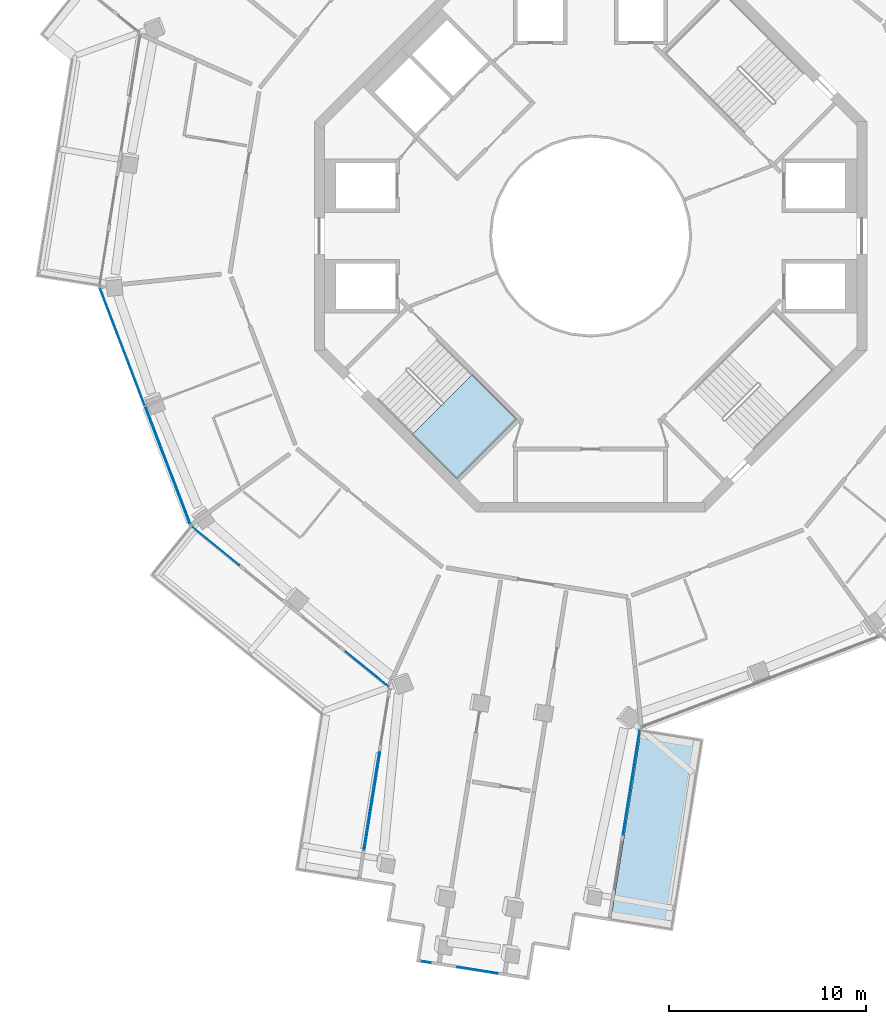
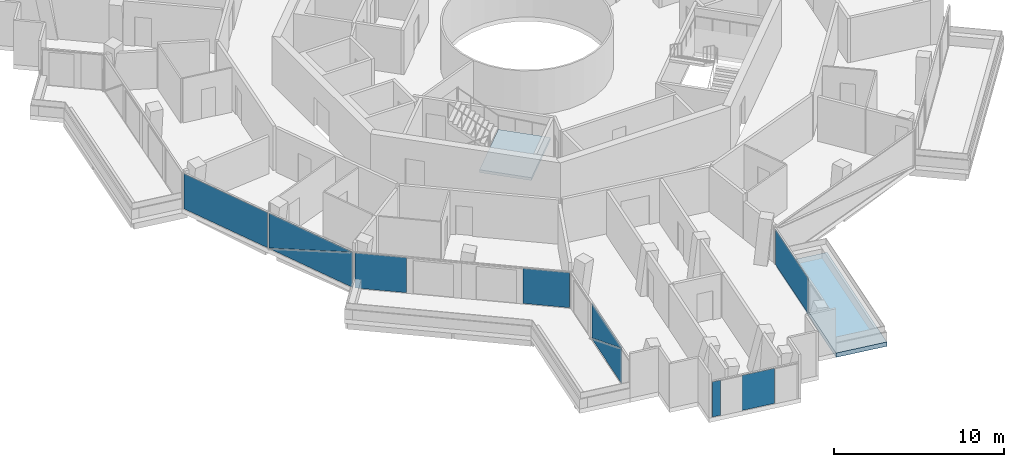
# One storey, part 11 of 23: 10 plates, 2 slabs, 6 elements without a shape of their own.
"""IFC4 building model written with IfcOpenShell, lengths in metres."""

from ifc_helpers import new_model, si_unit, direction, frame, origin, origin_2d, place, context, subcontext, project, spatial, polyline, rectangle, outline, extrude, material, layer, layer_set, type_object, element, aggregate, save


model = new_model("IFC4")

# Units and contexts
model_context = context("Model", 3, precision=1e-05, world=origin(), true_north=direction((0.0, 1.0)))
body_context = subcontext(model_context, "Body", "Model", "MODEL_VIEW")
ifc_project = project(units=[si_unit("LENGTHUNIT", "METRE"), si_unit("AREAUNIT", "SQUARE_METRE"), si_unit("VOLUMEUNIT", "CUBIC_METRE"), si_unit("PLANEANGLEUNIT", "RADIAN"), si_unit("MASSUNIT", "GRAM", prefix="KILO")], contexts=[model_context])

# Site, building, storey
site_placement = place(None, origin())
site = spatial("IfcSite", under=ifc_project, at=site_placement, CompositionType="ELEMENT")
building_placement = place(site_placement, origin())
building = spatial("IfcBuilding", under=site, at=building_placement, Name="Verdalira Terraces Hotel", CompositionType="ELEMENT")
storey_placement = place(building_placement, frame((0.0, 0.0, 241.0)))
storey = spatial("IfcBuildingStorey", under=building, at=storey_placement, Name="L59", CompositionType="ELEMENT", Elevation=241.0)

# Slab
ifc_material_1 = material(Name="Precast concrete C40/50", Category="concrete")
ifc_layer_1 = layer(ifc_material_1, 0.31005859375)
ifc_layer_set_1 = layer_set([ifc_layer_1], Name="Balcony deck 310")
slab_type_1 = type_object("IfcSlabType", Name="Balcony deck 310", PredefinedType="FLOOR", material=ifc_layer_set_1)
slab_1_placement = place(storey_placement, frame((0.0, 0.0, -0.310059)))
element("IfcSlab", 1, at=slab_1_placement, inside=storey, type_object=slab_type_1, Name="Balcony deck", PredefinedType="FLOOR", context=body_context, shape_type="SweptSolid", body=[
    extrude(outline(polyline([(5.732422, -25.489258), (2.572754, -24.981934), (1.008057, -34.729736), (4.16748, -35.236816), (5.732422, -25.489258)])), origin(), (0.0, 0.0, 1.0), 0.310059),
])

# Curtain wall, plates
ifc_material_2 = material(Name="Clear glass", Category="glass")
ifc_layer_2 = layer(ifc_material_2, 0.14990234375)
ifc_layer_set_2 = layer_set([ifc_layer_2], Name="CW1 curtain wall")
curtain_wall_type_1 = type_object("IfcCurtainWallType", Name="CW1 curtain wall", PredefinedType="NOTDEFINED", material=ifc_layer_set_2)
curtain_wall_1_placement = place(storey_placement, origin())
curtain_wall_1 = element("IfcCurtainWall", 2, at=curtain_wall_1_placement, inside=storey, type_object=curtain_wall_type_1, Name="CW1 curtain wall L59 edge 12", PredefinedType="NOTDEFINED")
ifc_material_3 = material(Name="Clear glass", Category="glass")
ifc_layer_3 = layer(ifc_material_3, 0.028076171875)
ifc_layer_set_3 = layer_set([ifc_layer_3], Name="CW1 glass unit 28")
plate_type_1 = type_object("IfcPlateType", Name="CW1 glass unit 28", PredefinedType="CURTAIN_PANEL", material=ifc_layer_set_3)
plate_1_placement = place(storey_placement, frame((-23.740967, -5.615479, 0.0), z_axis=(0.0, 0.0, 1.0), x_axis=(0.356411879, -0.934328942, 0.0)))
plate_1 = element("IfcPlate", 3, at=plate_1_placement, type_object=plate_type_1, Name="CW1 glass unit", PredefinedType="CURTAIN_PANEL", context=body_context, shape_type="SweptSolid", body=[
    extrude(rectangle(XDim=6.369873, YDim=0.028076, at=origin_2d()), origin(), (0.0, 0.0, 1.0), 2.524902),
])
plate_2_placement = place(storey_placement, frame((-21.436279, -11.618164, 1.262451), z_axis=(-0.934328942, -0.356411879, 0.0), x_axis=(0.356411879, -0.934328942, 0.0)))
plate_2 = element("IfcPlate", 4, at=plate_2_placement, type_object=plate_type_1, Name="CW1 glass unit", PredefinedType="CURTAIN_PANEL", context=body_context, shape_type="SweptSolid", body=[
    extrude(outline(polyline([(-3.185059, -1.262451), (3.185059, -1.262451), (3.185059, 1.262451), (-3.185059, -1.262451)])), origin(), (0.0, 0.0, 1.0), 0.028076),
])
plate_3_placement = place(storey_placement, frame((-21.40918, -11.607666, 1.262451), z_axis=(-0.934328942, -0.356411879, 0.0), x_axis=(0.356411879, -0.934328942, 0.0)))
plate_3 = element("IfcPlate", 5, at=plate_3_placement, type_object=plate_type_1, Name="CW1 glass unit", PredefinedType="CURTAIN_PANEL", context=body_context, shape_type="SweptSolid", body=[
    extrude(outline(polyline([(-3.185059, -1.262451), (3.185059, 1.262451), (-3.185059, 1.262451), (-3.185059, -1.262451)])), origin(), (0.0, 0.0, 1.0), 0.028076),
])
aggregate(curtain_wall_1, [plate_1, plate_2, plate_3])

curtain_wall_2_placement = place(storey_placement, origin())
curtain_wall_2 = element("IfcCurtainWall", 6, at=curtain_wall_2_placement, inside=storey, type_object=curtain_wall_type_1, Name="CW1 curtain wall L59 edge 13", PredefinedType="NOTDEFINED")
plate_4_placement = place(storey_placement, frame((-19.020996, -15.702148, 0.0), z_axis=(0.0, 0.0, 1.0), x_axis=(0.775826212, -0.63094666, 0.0)))
plate_4 = element("IfcPlate", 7, at=plate_4_placement, type_object=plate_type_1, Name="CW1 glass unit", PredefinedType="CURTAIN_PANEL", context=body_context, shape_type="SweptSolid", body=[
    extrude(rectangle(XDim=3.099854, YDim=0.028076, at=origin_2d()), origin(), (0.0, 0.0, 1.0), 2.524902),
])
plate_5_placement = place(storey_placement, frame((-11.340088, -21.94873, 0.0), z_axis=(0.0, 0.0, 1.0), x_axis=(0.775826212, -0.63094666, 0.0)))
plate_5 = element("IfcPlate", 8, at=plate_5_placement, type_object=plate_type_1, Name="CW1 glass unit", PredefinedType="CURTAIN_PANEL", context=body_context, shape_type="SweptSolid", body=[
    extrude(rectangle(XDim=2.778809, YDim=0.028076, at=origin_2d()), origin(), (0.0, 0.0, 1.0), 2.524902),
])
aggregate(curtain_wall_2, [plate_4, plate_5])

ifc_material_4 = material(Name="Clear glass", Category="glass")
ifc_layer_4 = layer(ifc_material_4, 0.14990234375)
ifc_layer_set_4 = layer_set([ifc_layer_4], Name="CW2 curtain wall")
curtain_wall_type_2 = type_object("IfcCurtainWallType", Name="CW2 curtain wall", PredefinedType="NOTDEFINED", material=ifc_layer_set_4)
curtain_wall_3_placement = place(storey_placement, origin())
curtain_wall_3 = element("IfcCurtainWall", 9, at=curtain_wall_3_placement, inside=storey, type_object=curtain_wall_type_2, Name="CW2 curtain wall L59 edge 14", PredefinedType="NOTDEFINED")
ifc_material_5 = material(Name="Clear glass", Category="glass")
ifc_layer_5 = layer(ifc_material_5, 0.031982421875)
ifc_layer_set_5 = layer_set([ifc_layer_5], Name="CW2 glass unit 32")
plate_type_2 = type_object("IfcPlateType", Name="CW2 glass unit 32", PredefinedType="CURTAIN_PANEL", material=ifc_layer_set_5)
plate_6_placement = place(storey_placement, frame((-11.087646, -28.634033, 1.262451), z_axis=(-0.987358539, 0.15850273, 0.0), x_axis=(-0.15850273, -0.987358539, 0.0)))
plate_6 = element("IfcPlate", 10, at=plate_6_placement, type_object=plate_type_2, Name="CW2 glass unit", PredefinedType="CURTAIN_PANEL", context=body_context, shape_type="SweptSolid", body=[
    extrude(outline(polyline([(-2.501221, -1.262451), (2.501221, -1.262451), (2.501221, 1.262451), (-2.501221, -1.262451)])), origin(), (0.0, 0.0, 1.0), 0.031982),
])
plate_7_placement = place(storey_placement, frame((-11.055176, -28.639404, 1.262451), z_axis=(-0.987358539, 0.15850273, 0.0), x_axis=(-0.15850273, -0.987358539, 0.0)))
plate_7 = element("IfcPlate", 11, at=plate_7_placement, type_object=plate_type_2, Name="CW2 glass unit", PredefinedType="CURTAIN_PANEL", context=body_context, shape_type="SweptSolid", body=[
    extrude(outline(polyline([(-2.501221, -1.262451), (2.501221, 1.262451), (-2.501221, 1.262451), (-2.501221, -1.262451)])), origin(), (0.0, 0.0, 1.0), 0.031982),
])
aggregate(curtain_wall_3, [plate_6, plate_7])

# Curtain wall, plate
curtain_wall_4_placement = place(storey_placement, origin())
curtain_wall_4 = element("IfcCurtainWall", 12, at=curtain_wall_4_placement, inside=storey, type_object=curtain_wall_type_2, Name="CW2 curtain wall L59 edge 24", PredefinedType="NOTDEFINED")
plate_8_placement = place(storey_placement, frame((2.062012, -27.691406, 0.0), z_axis=(0.0, 0.0, 1.0), x_axis=(0.15850273, 0.987358539, 0.0)))
plate_8 = element("IfcPlate", 13, at=plate_8_placement, type_object=plate_type_2, Name="CW2 glass unit", PredefinedType="CURTAIN_PANEL", context=body_context, shape_type="SweptSolid", body=[
    extrude(rectangle(XDim=5.372559, YDim=0.031982, at=origin_2d()), origin(), (0.0, 0.0, 1.0), 2.524902),
])
aggregate(curtain_wall_4, [plate_8])

# Curtain wall, plates
ifc_material_6 = material(Name="Clear glass", Category="glass")
ifc_layer_6 = layer(ifc_material_6, 0.14990234375)
ifc_layer_set_6 = layer_set([ifc_layer_6], Name="CW3 curtain wall")
curtain_wall_type_3 = type_object("IfcCurtainWallType", Name="CW3 curtain wall", PredefinedType="NOTDEFINED", material=ifc_layer_set_6)
curtain_wall_5_placement = place(storey_placement, origin())
curtain_wall_5 = element("IfcCurtainWall", 14, at=curtain_wall_5_placement, inside=storey, type_object=curtain_wall_type_3, Name="CW3 curtain wall L59 edge 19", PredefinedType="NOTDEFINED")
ifc_material_7 = material(Name="Clear glass", Category="glass")
ifc_layer_7 = layer(ifc_material_7, 0.035888671875)
ifc_layer_set_7 = layer_set([ifc_layer_7], Name="CW3 glass unit 36")
plate_type_3 = type_object("IfcPlateType", Name="CW3 glass unit 36", PredefinedType="CURTAIN_PANEL", material=ifc_layer_set_7)
plate_9_placement = place(storey_placement, frame((-8.353027, -36.797119, 0.0), z_axis=(0.0, 0.0, 1.0), x_axis=(0.987358539, -0.15850273, 0.0)))
plate_9 = element("IfcPlate", 15, at=plate_9_placement, type_object=plate_type_3, Name="CW3 glass unit", PredefinedType="CURTAIN_PANEL", context=body_context, shape_type="SweptSolid", body=[
    extrude(rectangle(XDim=0.51001, YDim=0.035889, at=origin_2d()), origin(), (0.0, 0.0, 1.0), 2.524902),
])
plate_10_placement = place(storey_placement, frame((-5.737793, -37.216797, 0.0), z_axis=(0.0, 0.0, 1.0), x_axis=(0.987358539, -0.15850273, 0.0)))
plate_10 = element("IfcPlate", 16, at=plate_10_placement, type_object=plate_type_3, Name="CW3 glass unit", PredefinedType="CURTAIN_PANEL", context=body_context, shape_type="SweptSolid", body=[
    extrude(rectangle(XDim=2.052734, YDim=0.035889, at=origin_2d()), origin(), (0.0, 0.0, 1.0), 2.524902),
])
aggregate(curtain_wall_5, [plate_9, plate_10])

# Stair, slab
ifc_material_8 = material(Name="Concrete C40", Category="concrete")
stair_type = type_object("IfcStairType", Name="Core stair 20 risers 2100 mm wide", PredefinedType="HALF_TURN_STAIR", material=ifc_material_8)
stair_placement = place(storey_placement, origin())
stair = element("IfcStair", 17, at=stair_placement, inside=storey, type_object=stair_type, Name="L59 Exit stair ST2", PredefinedType="HALF_TURN_STAIR")
ifc_material_9 = material(Name="Concrete C40", Category="concrete")
ifc_layer_8 = layer(ifc_material_9, 0.199951171875)
ifc_layer_set_8 = layer_set([ifc_layer_8], Name="Core stair landing 200 mm")
slab_type_2 = type_object("IfcSlabType", Name="Core stair landing 200 mm", PredefinedType="LANDING", material=ifc_layer_set_8)
slab_2_placement = place(storey_placement, frame((0.0, 0.0, 1.550049)))
slab_2 = element("IfcSlab", 18, at=slab_2_placement, type_object=slab_type_2, Name="ST2 landing 1", PredefinedType="LANDING", context=body_context, shape_type="SweptSolid", body=[
    extrude(outline(polyline([(-9.037109, -10.054688), (-6.78833, -12.303711), (-3.747559, -9.263184), (-5.996582, -7.01416), (-9.037109, -10.054688)])), origin(), (0.0, 0.0, 1.0), 0.199951),
])
aggregate(stair, [slab_2])

save(model, "model.ifc")
